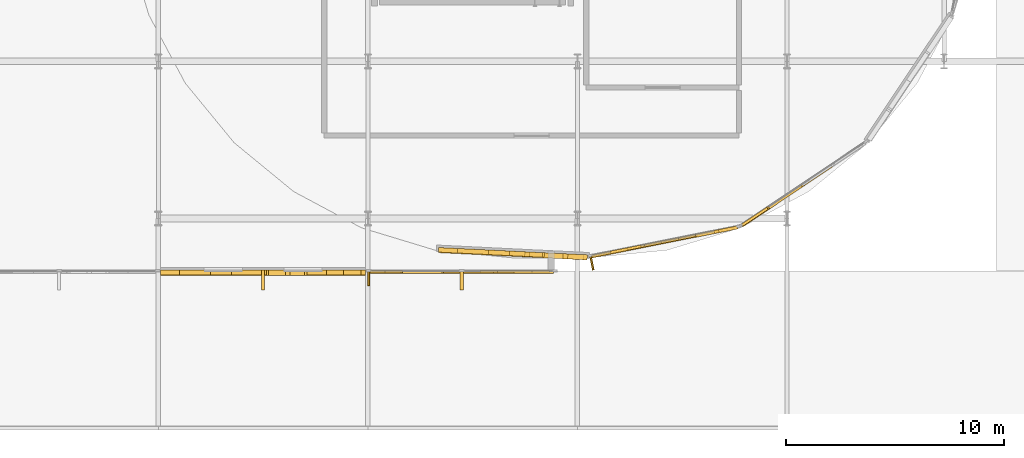
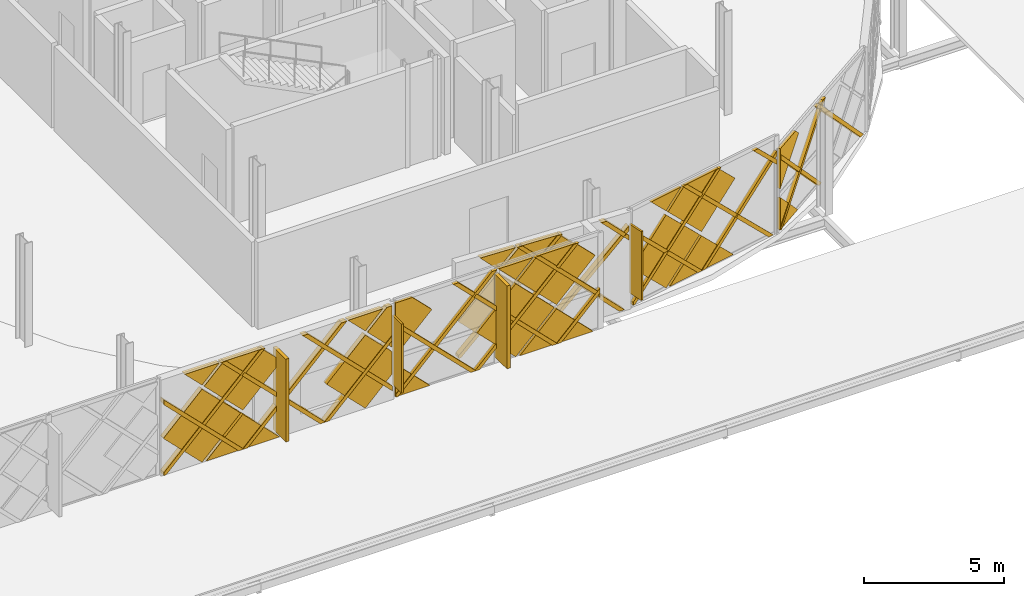
# One storey, part 95 of 101: 50 coverings, 2 shading devices.
"""IFC4 building model written with IfcOpenShell, lengths in metres."""

import ifcopenshell
import ifcopenshell.guid

model = None  # the IFC model being written
_history = None  # IfcOwnerHistory: only IFC2X3 demands one
_inside = {}  # id of a spatial element -> (the spatial element, [elements in it])
_under = {}  # id of a project, library or spatial element -> (it, [spatial elements below it])
_declared = {}  # id of a project -> (the project, [libraries it declares])
_typed = {}  # id of a type object -> (the type object, [elements of that type])
_made_of = {}  # id of a material, layer set ... -> (it, [elements and type objects made of it])


def new_model(schema):
    """Start an empty IFC model of exactly this schema.

    Asked for "IFC4X3", IfcOpenShell would pick the latest addendum, in which some entities
    have other attributes; the version numbers below select the first issue.
    IFC2X3 requires an IfcOwnerHistory on every rooted entity: one is made here for all.
    """
    global model, _history
    if schema == "IFC4X3":
        model = ifcopenshell.file(schema_version=(4, 3, 0, 0))
    else:
        model = ifcopenshell.file(schema=schema)
    _inside.clear()
    _under.clear()
    _declared.clear()
    _typed.clear()
    _made_of.clear()
    _history = None
    if model.schema == "IFC2X3":
        org = make("IfcOrganization", Name="unknown")
        user = make(
            "IfcPersonAndOrganization",
            ThePerson=make("IfcPerson", FamilyName="unknown"),
            TheOrganization=org,
        )
        app = make(
            "IfcApplication",
            ApplicationDeveloper=org,
            Version="unknown",
            ApplicationFullName="unknown",
            ApplicationIdentifier="unknown",
        )
        _history = make(
            "IfcOwnerHistory",
            OwningUser=user,
            OwningApplication=app,
            ChangeAction="ADDED",
            CreationDate=0,
        )
    return model


def make(cls, **values):
    """One entity of the class cls with the attributes given. An attribute that is None is left unset."""
    return model.create_entity(
        cls, **{name: value for name, value in values.items() if value is not None}
    )


def rooted(cls, **values):
    """An entity with a GlobalId (a new one), such as an element, a storey or a relation."""
    return make(cls, GlobalId=ifcopenshell.guid.new(), OwnerHistory=_history, **values)


def si_unit(unit_type, name, prefix=None):
    """IfcSIUnit, for example si_unit("LENGTHUNIT", "METRE", prefix="MILLI")."""
    return make("IfcSIUnit", UnitType=unit_type, Prefix=prefix, Name=name)


def assignment(units):
    """IfcUnitAssignment: the units of a project."""
    return None if units is None else make("IfcUnitAssignment", Units=units)


def point(xyz):
    """IfcCartesianPoint."""
    return None if xyz is None else make("IfcCartesianPoint", Coordinates=xyz)


def direction(xyz):
    """IfcDirection."""
    return None if xyz is None else make("IfcDirection", DirectionRatios=xyz)


def frame(location, z_axis=None, x_axis=None):
    """IfcAxis2Placement3D, a coordinate frame: its origin and axes. An axis left out is left unset."""
    return make(
        "IfcAxis2Placement3D",
        Location=point(location),
        Axis=direction(z_axis),
        RefDirection=direction(x_axis),
    )


def frame_2d(location, x_axis=None):
    """IfcAxis2Placement2D, a coordinate frame in the plane: its origin and x axis."""
    return make(
        "IfcAxis2Placement2D", Location=point(location), RefDirection=direction(x_axis)
    )


def origin():
    """The frame at (0, 0, 0) with its axes left unset."""
    return frame((0.0, 0.0, 0.0))


def origin_2d():
    """The frame at (0, 0) in the plane with its x axis left unset."""
    return frame_2d((0.0, 0.0))


def place(relative_to, where):
    """IfcLocalPlacement: puts the frame where relative to a parent placement (None: the world)."""
    return make(
        "IfcLocalPlacement", PlacementRelTo=relative_to, RelativePlacement=where
    )


def context(
    kind, dimensions, precision=None, world=None, true_north=None, identifier=None
):
    """IfcGeometricRepresentationContext, for example the 3D "Model" context."""
    return make(
        "IfcGeometricRepresentationContext",
        ContextIdentifier=identifier,
        ContextType=kind,
        CoordinateSpaceDimension=dimensions,
        Precision=precision,
        WorldCoordinateSystem=world,
        TrueNorth=true_north,
    )


def subcontext(parent, identifier, kind, view, scale=None):
    """IfcGeometricRepresentationSubContext, for example "Body" below "Model"."""
    return make(
        "IfcGeometricRepresentationSubContext",
        ContextIdentifier=identifier,
        ContextType=kind,
        ParentContext=parent,
        TargetScale=scale,
        TargetView=view,
    )


def project(units=None, contexts=None):
    """IfcProject with its units and contexts."""
    return rooted(
        "IfcProject",
        Name="project",
        RepresentationContexts=contexts,
        UnitsInContext=assignment(units),
    )


def spatial(cls, under=None, at=None, **own):
    """A site, building, storey or space (cls), placed at a placement, below another one or the project."""
    s = rooted(cls, ObjectPlacement=at, **own)
    if under is not None:
        _under.setdefault(under.id(), (under, []))[1].append(s)
    return s


def polyline(points):
    """IfcPolyline through the points."""
    return make("IfcPolyline", Points=[point(p) for p in points])


def profile(cls, at=None, kind="AREA", **sizes):
    """A parametric profile (cls). Its sizes go by their IFC names, for example OverallWidth=200.0."""
    return make(cls, ProfileType=kind, Position=at, **sizes)


def rectangle(**sizes):
    """IfcRectangleProfileDef."""
    return profile("IfcRectangleProfileDef", **sizes)


def outline(outer, holes=None, kind="AREA"):
    """IfcArbitraryClosedProfileDef: a profile drawn as a closed curve; with holes, ...WithVoids."""
    if holes is None:
        return make("IfcArbitraryClosedProfileDef", ProfileType=kind, OuterCurve=outer)
    return make(
        "IfcArbitraryProfileDefWithVoids",
        ProfileType=kind,
        OuterCurve=outer,
        InnerCurves=holes,
    )


def extrude(swept, where, along, depth):
    """IfcExtrudedAreaSolid: the profile swept, set in the frame where, extruded along a direction by depth."""
    return make(
        "IfcExtrudedAreaSolid",
        SweptArea=swept,
        Position=where,
        ExtrudedDirection=direction(along),
        Depth=depth,
    )


def shape(context_of_items, identifier, shape_type, items):
    """IfcShapeRepresentation: the items that make up one representation, for example the "Body"."""
    return make(
        "IfcShapeRepresentation",
        ContextOfItems=context_of_items,
        RepresentationIdentifier=identifier,
        RepresentationType=shape_type,
        Items=items,
    )


def material(Name=None, Category=None):
    """IfcMaterial."""
    return make("IfcMaterial", Name=Name, Category=Category)


def layer(
    of_material, thickness, ventilated=None, Name=None, Category=None, Priority=None
):
    """IfcMaterialLayer: one layer of a wall or slab, of a material (None: an air gap)."""
    return make(
        "IfcMaterialLayer",
        Material=of_material,
        LayerThickness=thickness,
        IsVentilated=ventilated,
        Name=Name,
        Category=Category,
        Priority=Priority,
    )


def layer_set(layers, Name=None):
    """IfcMaterialLayerSet."""
    return make("IfcMaterialLayerSet", MaterialLayers=layers, LayerSetName=Name)


def made_of(thing, what):
    """Note that an element or type object is made of a material, layer set ...; save() writes the relation."""
    if what is not None:
        _made_of.setdefault(what.id(), (what, []))[1].append(thing)
    return thing


def type_object(cls, material=None, **own):
    """A type object (cls), such as IfcWallType, which elements share."""
    return made_of(rooted(cls, **own), material)


def element(
    cls,
    number,
    at=None,
    inside=None,
    cuts=None,
    type_object=None,
    material=None,
    context=None,
    identifier="Body",
    shape_type=None,
    held_by="IfcProductDefinitionShape",
    body=None,
    shapes=None,
    **own,
):
    """One element of the class cls, such as IfcWall. Its Tag is "e" and its number.

    at: its placement. inside: the storey or other place that contains it. cuts: it is an
    opening in that element (IfcRelVoidsElement). A single representation is given by context,
    identifier, shape_type and body (its items); several are given by shapes. held_by: the class
    of the entity that holds the representations. save() writes the other relations.
    """
    e = rooted(cls, Tag="e%d" % number, ObjectPlacement=at, **own)
    if body is not None:
        shapes = [shape(context, identifier, shape_type, body)]
    if shapes is not None:
        e.Representation = make(held_by, Representations=shapes)
    if inside is not None:
        _inside.setdefault(inside.id(), (inside, []))[1].append(e)
    if cuts is not None:
        rooted(
            "IfcRelVoidsElement", RelatingBuildingElement=cuts, RelatedOpeningElement=e
        )
    if type_object is not None:
        _typed.setdefault(type_object.id(), (type_object, []))[1].append(e)
    return made_of(e, material)


def aggregate(whole, parts):
    """IfcRelAggregates: a whole, such as a stair, and the parts it consists of."""
    return rooted("IfcRelAggregates", RelatingObject=whole, RelatedObjects=parts)


def save(model, path):
    """Write the relations noted so far, then the file.

    IfcRelAggregates (storeys below a building ...), IfcRelContainedInSpatialStructure (elements
    in a storey), IfcRelDefinesByType, IfcRelAssociatesMaterial and IfcRelDeclares: one each for
    every whole, place, type object, material and project.
    """
    for whole, parts in _under.values():
        aggregate(whole, parts)
    for where, things in _inside.values():
        rooted(
            "IfcRelContainedInSpatialStructure",
            RelatedElements=things,
            RelatingStructure=where,
        )
    for kind, things in _typed.values():
        rooted("IfcRelDefinesByType", RelatedObjects=things, RelatingType=kind)
    for what, things in _made_of.values():
        rooted("IfcRelAssociatesMaterial", RelatedObjects=things, RelatingMaterial=what)
    for by, libraries in _declared.values():
        rooted("IfcRelDeclares", RelatingContext=by, RelatedDefinitions=libraries)
    model.write(path)


model = new_model("IFC4")

# Units and contexts
model_context = context("Model", 3, precision=1e-05, world=origin(), true_north=direction((0.0, 1.0)))
body_context = subcontext(model_context, "Body", "Model", "MODEL_VIEW")
ifc_project = project(units=[si_unit("LENGTHUNIT", "METRE"), si_unit("AREAUNIT", "SQUARE_METRE"), si_unit("VOLUMEUNIT", "CUBIC_METRE"), si_unit("PLANEANGLEUNIT", "RADIAN"), si_unit("MASSUNIT", "GRAM", prefix="KILO")], contexts=[model_context])

# Site, building, storey
site_placement = place(None, origin())
site = spatial("IfcSite", under=ifc_project, at=site_placement, CompositionType="ELEMENT")
building_placement = place(site_placement, origin())
building = spatial("IfcBuilding", under=site, at=building_placement, Name="Zevrakil Square Congress Hotel", CompositionType="ELEMENT")
storey_placement = place(building_placement, frame((0.0, 0.0, 5.39990234375)))
storey = spatial("IfcBuildingStorey", under=building, at=storey_placement, Name="L02", CompositionType="ELEMENT", Elevation=5.39990234375)

# Coverings
ifc_material_1 = material(Name="Architectural White Fibre-C GRC", Category="concrete")
ifc_layer_1 = layer(ifc_material_1, 0.06494140625)
ifc_layer_set_1 = layer_set([ifc_layer_1], Name="Architectural White Fibre-C GRC")
covering_type_1 = type_object("IfcCoveringType", Name="COV-DIA-WHITE", PredefinedType="CLADDING", material=ifc_layer_set_1)
covering_1_placement = place(storey_placement, frame((130.56298828125, 7.02099609375, 1.590087890625), z_axis=(0.0, -0.999999790873, 0.000646725815), x_axis=(0.707106707249, -0.000457304257, -0.707106707249)))
element("IfcCovering", 1, at=covering_1_placement, inside=storey, type_object=covering_type_1, Name="L02 45-degree white GRC diamond facade cassette 252", PredefinedType="CLADDING", context=body_context, shape_type="SweptSolid", body=[
    extrude(outline(polyline([(0.0, 0.0), (2.1354765131557993, 0.0), (4.465861884739297e-07, -2.1354765131557527), (0.0, 0.0)])), origin(), (0.0, 0.0, -1.0), 0.219970703125),
])
covering_2_placement = place(storey_placement, frame((128.883056640625, 7.02197265625, 3.27001953125), z_axis=(0.0, -0.999999812555, 0.000612281941), x_axis=(0.707106714489, -0.000432948753, -0.707106715341)))
element("IfcCovering", 2, at=covering_2_placement, inside=storey, type_object=covering_type_1, Name="L02 45-degree white GRC diamond facade cassette 253", PredefinedType="CLADDING", context=body_context, shape_type="SweptSolid", body=[
    extrude(outline(polyline([(0.0, 0.0), (2.2483788053823686, 2.220446049250313e-16), (2.2485518630143098, -2.2485514388251864), (0.013983735657622232, -2.2485514362281265), (-0.00017220932723183147, -2.23439549391379), (0.0, 0.0)])), origin(), (0.0, 0.0, -1.0), 0.219970703125),
])
covering_3_placement = place(storey_placement, frame((135.60302734375, 7.02001953125, 0.090087890625), z_axis=(2.4783e-08, -0.999999819732, 0.00060044665), x_axis=(-0.707106714542, 0.000424562414, 0.707106720373)))
element("IfcCovering", 3, at=covering_3_placement, inside=storey, type_object=covering_type_1, Name="L02 45-degree white GRC diamond facade cassette 254", PredefinedType="CLADDING", context=body_context, shape_type="SweptSolid", body=[
    extrude(outline(polyline([(0.0, 0.0), (2.2487240722289403, 2.220446049250313e-16), (2.2485518626367096, -2.2485514387855567), (0.7014103402879658, -2.2485514130810778), (3.1733849004123016e-07, -1.547141522351359), (0.0, 0.0)])), origin(), (0.0, 0.0, -1.0), 0.219970703125),
])
covering_4_placement = place(storey_placement, frame((132.153076171875, 7.02197265625, 3.360107421875), z_axis=(0.0, -0.999999812418, 0.000612505691), x_axis=(-0.707106714509, -0.000433106969, -0.707106715224)))
element("IfcCovering", 4, at=covering_4_placement, inside=storey, type_object=covering_type_1, Name="L02 45-degree white GRC diamond facade cassette 255", PredefinedType="CLADDING", context=body_context, shape_type="SweptSolid", body=[
    extrude(outline(polyline([(0.0, 0.0), (2.248724072333454, 0.0), (2.248723648240769, -2.248724072333414), (1.1172836395863657, -2.2487240710021386), (-2.120499200675141e-07, -1.1314400086543839), (0.0, 0.0)])), origin(), (0.0, 0.0, -1.0), 0.219970703125),
])
covering_5_placement = place(storey_placement, frame((135.693115234375, 7.02197265625, 3.360107421875), z_axis=(5.0417918e-05, -0.999999849097, 0.000547049503), x_axis=(0.706998801775, 0.000422526876, 0.707214617892)))
element("IfcCovering", 5, at=covering_5_placement, inside=storey, type_object=covering_type_1, Name="L02 45-degree white GRC diamond facade cassette 256", PredefinedType="CLADDING", context=body_context, shape_type="SweptSolid", body=[
    extrude(outline(polyline([(0.0, 0.0), (1.1312673883056323, -1.1102230246251565e-16), (1.275566948433466, -0.1443436339294647), (-0.00021686546109567217, -1.4197379014663885), (0.0, 0.0)])), origin(), (0.0, 0.0, -1.0), 0.219970703125),
])
for number, where, z_axis, x_axis, name in (
    (6, (128.883056640625, 7.022216796875, 3.4501953125), (0.0, -0.999999940874, 0.000343878934), (-0.707106760282, 0.000243159134, 0.707106760282), "L02 45-degree white GRC diamond facade cassette 257"),
    (7, (135.60302734375, 7.022216796875, 3.4501953125), (0.0, -0.999999940874, 0.000343878934), (-0.707106760282, 0.000243159134, 0.707106760282), "L02 45-degree white GRC diamond facade cassette 258"),
):
    element("IfcCovering", number, at=place(storey_placement, frame(where, z_axis=z_axis, x_axis=x_axis)), inside=storey, type_object=covering_type_1, Name=name, PredefinedType="CLADDING", context=body_context, shape_type="SweptSolid", body=[
        extrude(outline(polyline([(0.0, 0.0), (1.0040364162501292, 0.0), (5.936502278647282e-08, -1.0040364162501274), (0.0, 0.0)])), origin(), (0.0, 0.0, -1.0), 0.219970703125),
    ])
covering_6_placement = place(storey_placement, frame((138.31298828125, 7.10498046875, 0.080078125), z_axis=(0.0, -0.999999760125, 0.000692640526), x_axis=(-1.0, 0.0, 0.0)))
element("IfcCovering", 8, at=covering_6_placement, inside=storey, type_object=covering_type_1, Name="L02 45-degree white GRC diamond facade cassette 281", PredefinedType="CLADDING", context=body_context, shape_type="SweptSolid", body=[
    extrude(outline(polyline([(0.0, 0.0), (1.409912109375, 0.0), (1.409912109375, -1.4099124475784228), (0.0, 0.0)])), origin(), (0.0, 0.0, -1.0), 0.1201171875),
])
covering_7_placement = place(storey_placement, frame((143.52294921875, 7.10595703125, 1.590087890625), z_axis=(0.0, -0.999999790873, 0.000646725815), x_axis=(0.707106707249, -0.000457304257, -0.707106707249)))
element("IfcCovering", 9, at=covering_7_placement, inside=storey, type_object=covering_type_1, Name="L02 45-degree white GRC diamond facade cassette 282", PredefinedType="CLADDING", context=body_context, shape_type="SweptSolid", body=[
    extrude(outline(polyline([(0.0, 0.0), (2.1354765131557993, 0.0), (4.465861884739297e-07, -2.1354765131557527), (0.0, 0.0)])), origin(), (0.0, 0.0, -1.0), 0.1201171875),
])
covering_8_placement = place(storey_placement, frame((141.843017578125, 7.10693359375, 3.27001953125), z_axis=(0.0, -0.999999811377, 0.000614203339), x_axis=(0.707161000837, -0.000434274042, -0.707052424012)))
element("IfcCovering", 10, at=covering_8_placement, inside=storey, type_object=covering_type_1, Name="L02 45-degree white GRC diamond facade cassette 283", PredefinedType="CLADDING", context=body_context, shape_type="SweptSolid", body=[
    extrude(outline(polyline([(0.0, 0.0), (2.2485514454867683, 0.0), (2.2483792228863573, -2.248724065739994), (-0.0003448428211170196, -2.248551419043839), (0.0, 0.0)])), origin(), (0.0, 0.0, -1.0), 0.1201171875),
])
covering_9_placement = place(storey_placement, frame((138.39306640625, 7.10693359375, 3.360107421875), z_axis=(-3.5710553e-05, -0.999999851499, 0.000543807812), x_axis=(-0.707106738937, -0.000359279046, -0.707106732161)))
element("IfcCovering", 11, at=covering_9_placement, inside=storey, type_object=covering_type_1, Name="L02 45-degree white GRC diamond facade cassette 284", PredefinedType="CLADDING", context=body_context, shape_type="SweptSolid", body=[
    extrude(outline(polyline([(0.0, 0.0), (2.1071645244025197, 0.0), (0.48786204782328235, -1.619302283895538), (-1.7000803909095197e-07, -1.1314400083874891), (0.0, 0.0)])), origin(), (0.0, 0.0, -1.0), 0.1201171875),
])
covering_10_placement = place(storey_placement, frame((145.113037109375, 7.10693359375, 3.360107421875), z_axis=(0.0, -0.999999862226, 0.000524927079), x_axis=(-0.707106744411, -0.000371179516, -0.707106720541)))
element("IfcCovering", 12, at=covering_10_placement, inside=storey, type_object=covering_type_1, Name="L02 45-degree white GRC diamond facade cassette 285", PredefinedType="CLADDING", context=body_context, shape_type="SweptSolid", body=[
    extrude(outline(polyline([(0.0, 0.0), (2.24872397723899, -2.220446049250313e-16), (2.2485511098526967, -2.2485513437384994), (1.1172837367417798, -2.2487240216932802), (-1.6214241616019365e-07, -1.1314400065934285), (0.0, 0.0)])), origin(), (0.0, 0.0, -1.0), 0.1201171875),
])
covering_11_placement = place(storey_placement, frame((141.843017578125, 7.107177734375, 3.4501953125), z_axis=(0.0, -0.999999940874, 0.000343878934), x_axis=(-0.707106760282, 0.000243159134, 0.707106760282)))
element("IfcCovering", 13, at=covering_11_placement, inside=storey, type_object=covering_type_1, Name="L02 45-degree white GRC diamond facade cassette 286", PredefinedType="CLADDING", context=body_context, shape_type="SweptSolid", body=[
    extrude(outline(polyline([(0.0, 0.0), (1.0040364162501292, 0.0), (5.936502278647282e-08, -1.0040364162501274), (0.0, 0.0)])), origin(), (0.0, 0.0, -1.0), 0.1201171875),
])
covering_12_placement = place(storey_placement, frame((150.268798828125, 8.453125, 1.590087890625), z_axis=(0.195074358725, -0.980788280172, 0.000586553491), x_axis=(0.693609627274, 0.137532945708, -0.707099974401)))
element("IfcCovering", 14, at=covering_12_placement, inside=storey, type_object=covering_type_1, Name="L02 45-degree white GRC diamond facade cassette 1973", PredefinedType="CLADDING", context=body_context, shape_type="SweptSolid", body=[
    extrude(outline(polyline([(0.0, 0.0), (2.135496846686384, 0.0), (6.252147105900718e-05, -2.1353939480228528), (0.0, 0.0)])), origin(), (0.0, 0.0, -1.0), 0.1201171875),
])
covering_13_placement = place(storey_placement, frame((148.620849609375, 8.12646484375, 3.27001953125), z_axis=(0.195079003967, -0.980787338537, 0.000615449045), x_axis=(0.693629560954, 0.137519506008, -0.707083034472)))
element("IfcCovering", 15, at=covering_13_placement, inside=storey, type_object=covering_type_1, Name="L02 45-degree white GRC diamond facade cassette 1974", PredefinedType="CLADDING", context=body_context, shape_type="SweptSolid", body=[
    extrude(outline(polyline([(0.0, 0.0), (2.2484539965741455, 2.220446049250313e-16), (2.248376464237012, -2.2487268372075064), (0.013903468485891413, -2.248556768064726), (-0.00025200241907197274, -2.234400351741327), (0.0, 0.0)])), origin(), (0.0, 0.0, -1.0), 0.1201171875),
])
covering_14_placement = place(storey_placement, frame((151.827880859375, 8.764404296875, 3.360107421875), z_axis=(0.195094274496, -0.980784320677, 0.000583415454), x_axis=(-0.693377042901, -0.13834485524, -0.707169694915)))
element("IfcCovering", 16, at=covering_14_placement, inside=storey, type_object=covering_type_1, Name="L02 45-degree white GRC diamond facade cassette 1975", PredefinedType="CLADDING", context=body_context, shape_type="SweptSolid", body=[
    extrude(outline(polyline([(0.0, 0.0), (2.2485237706358365, 0.0), (2.2483950195868045, -2.24879596498194), (1.116903818822684, -2.248643928463012), (-0.000184473038150057, -1.1313565414365567), (0.0, 0.0)])), origin(), (0.0, 0.0, -1.0), 0.1201171875),
])
covering_15_placement = place(storey_placement, frame((148.620849609375, 8.126708984375, 3.4501953125), z_axis=(0.194958822102, -0.980811358107, 0.000370801502), x_axis=(-0.693661237734, -0.13761383125, 0.707033606495)))
element("IfcCovering", 17, at=covering_15_placement, inside=storey, type_object=covering_type_1, Name="L02 45-degree white GRC diamond facade cassette 1976", PredefinedType="CLADDING", context=body_context, shape_type="SweptSolid", body=[
    extrude(outline(polyline([(0.0, 0.0), (1.0041402996658966, 0.0), (-0.00010565880857049681, -1.004038280687166), (0.0, 0.0)])), origin(), (0.0, 0.0, -1.0), 0.1201171875),
])
covering_16_placement = place(storey_placement, frame((155.134521484375, 10.0166015625, 0.080078125), z_axis=(0.5554191038, -0.831570435023, 0.000480342697), x_axis=(-0.831570530957, -0.555419167876, 0.0)))
element("IfcCovering", 18, at=covering_16_placement, inside=storey, type_object=covering_type_1, Name="L02 45-degree white GRC diamond facade cassette 1982", PredefinedType="CLADDING", context=body_context, shape_type="SweptSolid", body=[
    extrude(outline(polyline([(0.0, 0.0), (1.4101118043779721, 0.0), (1.4102466439107262, -1.4099122720289092), (0.0, 0.0)])), origin(), (0.0, 0.0, -1.0), 0.1201171875),
])
covering_17_placement = place(storey_placement, frame((155.19970703125, 10.062744140625, 3.360107421875), z_axis=(0.555543339219, -0.831487336414, 0.000638460709), x_axis=(-0.587690857012, -0.393198060111, -0.707117205356)))
element("IfcCovering", 19, at=covering_17_placement, inside=storey, type_object=covering_type_1, Name="L02 45-degree white GRC diamond facade cassette 1985", PredefinedType="CLADDING", context=body_context, shape_type="SweptSolid", body=[
    extrude(outline(polyline([(0.0, 0.0), (2.1071334343419954, 0.0), (0.88042821438919, -1.2267625628905314), (-2.2720396062519965e-05, -0.3462852089412874), (0.0, 0.0)])), origin(), (0.0, 0.0, -1.0), 0.1201171875),
])
covering_18_placement = place(storey_placement, frame((143.289794921875, 7.901123046875, 1.590087890625), z_axis=(-0.049147388108, -0.998791328055, 0.00064594427), x_axis=(0.706268083881, -0.035210516322, -0.707068322888)))
element("IfcCovering", 20, at=covering_18_placement, inside=storey, type_object=covering_type_1, Name="L02 45-degree white GRC diamond facade cassette 2070", PredefinedType="CLADDING", context=body_context, shape_type="SweptSolid", body=[
    extrude(outline(polyline([(0.0, 0.0), (2.135592440992476, 2.220446049250313e-16), (-0.00016352540261688198, -2.1355245562370513), (0.0, 0.0)])), origin(), (0.0, 0.0, -1.0), 0.2099609375),
])
covering_19_placement = place(storey_placement, frame((141.61181640625, 7.984619140625, 3.27001953125), z_axis=(-0.049134808325, -0.998791968643, 0.000611542554), x_axis=(0.70628901187, -0.03517826223, -0.707049023461)))
element("IfcCovering", 21, at=covering_19_placement, inside=storey, type_object=covering_type_1, Name="L02 45-degree white GRC diamond facade cassette 2071", PredefinedType="CLADDING", context=body_context, shape_type="SweptSolid", body=[
    extrude(outline(polyline([(0.0, 0.0), (2.248562260732327, 0.0), (2.2484362687209547, -2.248667027198164), (0.013865747966557374, -2.2484871152947923), (-0.0002890420539078953, -2.2343300180972654), (0.0, 0.0)])), origin(), (0.0, 0.0, -1.0), 0.2099609375),
])
covering_20_placement = place(storey_placement, frame((144.8779296875, 7.823974609375, 3.360107421875), z_axis=(-0.049137107076, -0.998791852114, 0.000617138288), x_axis=(-0.706256085539, 0.034308436867, -0.707124651528)))
element("IfcCovering", 22, at=covering_20_placement, inside=storey, type_object=covering_type_1, Name="L02 45-degree white GRC diamond facade cassette 2072", PredefinedType="CLADDING", context=body_context, shape_type="SweptSolid", body=[
    extrude(outline(polyline([(0.0, 0.0), (2.248667030733473, 0.0), (2.2484479532167043, -2.2485624621233056), (1.1170322568082822, -2.2485580742557656), (-0.00019172264721944998, -1.1312771984459273), (0.0, 0.0)])), origin(), (0.0, 0.0, -1.0), 0.2099609375),
])
covering_21_placement = place(storey_placement, frame((141.61181640625, 7.984619140625, 3.4501953125), z_axis=(-0.049174372606, -0.998789966672, 0.000695380715), x_axis=(-0.706180555599, 0.035260392755, 0.707153256089)))
element("IfcCovering", 23, at=covering_21_placement, inside=storey, type_object=covering_type_1, Name="L02 45-degree white GRC diamond facade cassette 2073", PredefinedType="CLADDING", context=body_context, shape_type="SweptSolid", body=[
    extrude(outline(polyline([(0.0, 0.0), (1.0039704001744385, -1.1102230246251565e-16), (-5.996261564500394e-06, -1.0041088686284692), (0.0, 0.0)])), origin(), (0.0, 0.0, -1.0), 0.2099609375),
])
ifc_material_2 = material(Name="Anodised Champagne Aluminium", Category="aluminium")
ifc_layer_2 = layer(ifc_material_2, 0.0849609375)
ifc_layer_set_2 = layer_set([ifc_layer_2], Name="Anodised Champagne Aluminium")
covering_type_2 = type_object("IfcCoveringType", Name="COV-DIAGRID-45", PredefinedType="MOLDING", material=ifc_layer_set_2)
covering_22_placement = place(storey_placement, frame((127.38916015625, 6.9951171875, 0.080078125), z_axis=(0.000179545795, -0.999999893832, 0.000424380971), x_axis=(-0.999999983882, -0.000179545779, 7.6196e-08)))
element("IfcCovering", 24, at=covering_22_placement, inside=storey, type_object=covering_type_2, Name="L02 45-degree aluminium diagrid rib 259", PredefinedType="MOLDING", context=body_context, shape_type="SweptSolid", body=[
    extrude(outline(polyline([(0.0, 0.0), (0.08618163923589447, -1.1406045165281983e-24), (0.08618164885338447, -0.1262206917588748), (-3.8676758463687504, -4.080078793676924), (-4.079834046074112, -4.080078793676924), (0.0, 0.0)])), origin(), (0.0, 0.0, -1.0), 0.2451171875),
])
covering_23_placement = place(storey_placement, frame((130.7490234375, 6.9951171875, 0.080078125), z_axis=(0.0, -0.999999820975, 0.00059837232), x_axis=(-1.0, 0.0, 0.0)))
element("IfcCovering", 25, at=covering_23_placement, inside=storey, type_object=covering_type_2, Name="L02 45-degree aluminium diagrid rib 260", PredefinedType="MOLDING", context=body_context, shape_type="SweptSolid", body=[
    extrude(outline(polyline([(0.0, 0.0), (0.212158203125, 0.0), (-3.867919921875, -4.080078855435026), (-4.080078125, -4.080078855435026), (0.0, 0.0)])), origin(), (0.0, 0.0, -1.0), 0.2451171875),
])
covering_24_placement = place(storey_placement, frame((134.109130859375, 6.9951171875, 0.080078125), z_axis=(0.000271874555, -0.999999926084, 0.000271874555), x_axis=(-0.999999963042, -0.000271874545, 7.3916e-08)))
element("IfcCovering", 26, at=covering_24_placement, inside=storey, type_object=covering_type_2, Name="L02 45-degree aluminium diagrid rib 261", PredefinedType="MOLDING", context=body_context, shape_type="SweptSolid", body=[
    extrude(outline(polyline([(0.0, 0.0), (0.212158195284081, -2.8078904387053947e-24), (-2.5878907206429744, -2.8000491228948605), (-2.587890736324813, -2.58789092761078), (0.0, 0.0)])), origin(), (0.0, 0.0, -1.0), 0.2451171875),
])
covering_25_placement = place(storey_placement, frame((127.302978515625, 6.996826171875, 3.154052734375), z_axis=(0.000287477056, -0.99999958606, 0.000863270454), x_axis=(8.2643e-08, 0.000863270513, 0.999999627382)))
element("IfcCovering", 27, at=covering_25_placement, inside=storey, type_object=covering_type_2, Name="L02 45-degree aluminium diagrid rib 262", PredefinedType="MOLDING", context=body_context, shape_type="SweptSolid", body=[
    extrude(outline(polyline([(0.0, 0.0), (0.21215833483042407, 1.3234889800848443e-23), (-3.0739746676964605, -3.286133202330571), (-3.073974685229852, -3.0739750079722734), (0.0, 0.0)])), origin(), (0.0, 0.0, -1.0), 0.2451171875),
])
covering_26_placement = place(storey_placement, frame((129.656982421875, 6.99755859375, 4.16015625), z_axis=(0.0, -0.999999820975, 0.00059837232), x_axis=(1.0, 0.0, 0.0)))
element("IfcCovering", 28, at=covering_26_placement, inside=storey, type_object=covering_type_2, Name="L02 45-degree aluminium diagrid rib 263", PredefinedType="MOLDING", context=body_context, shape_type="SweptSolid", body=[
    extrude(outline(polyline([(0.0, 0.0), (0.212158203125, 0.0), (4.292236328125, -4.080078855435026), (4.079833984375, -4.080078855435026), (0.0, 0.0)])), origin(), (0.0, 0.0, -1.0), 0.2451171875),
])
covering_27_placement = place(storey_placement, frame((133.016845703125, 6.99755859375, 4.16015625), z_axis=(-0.000307387518, -0.999999905513, 0.000307387518), x_axis=(0.999999952756, -0.000307387504, 9.4487e-08)))
element("IfcCovering", 29, at=covering_27_placement, inside=storey, type_object=covering_type_2, Name="L02 45-degree aluminium diagrid rib 264", PredefinedType="MOLDING", context=body_context, shape_type="SweptSolid", body=[
    extrude(outline(polyline([(0.0, 0.0), (0.21215819310189454, 0.0), (3.680175955114556, -3.468018089695602), (3.6801759350683443, -3.6801762827974955), (0.0, 0.0)])), origin(), (0.0, 0.0, -1.0), 0.2451171875),
])
covering_28_placement = place(storey_placement, frame((136.989013671875, 7.080078125, 0.080078125), z_axis=(0.000179650061, -0.999999893856, 0.000424279931), x_axis=(-0.999999983863, -0.000179650045, 7.6222e-08)))
element("IfcCovering", 30, at=covering_28_placement, inside=storey, type_object=covering_type_2, Name="L02 45-degree aluminium diagrid rib 287", PredefinedType="MOLDING", context=body_context, shape_type="SweptSolid", body=[
    extrude(outline(polyline([(0.0, 0.0), (0.08593749861322035, -1.137373342260413e-24), (0.08593750823400426, -0.1262206917642864), (-3.867919987065464, -4.080078793605174), (-4.080078186766852, -4.080078793605174), (0.0, 0.0)])), origin(), (0.0, 0.0, -1.0), 0.14501953125),
])
covering_29_placement = place(storey_placement, frame((140.34912109375, 7.080078125, 0.080078125), z_axis=(0.0, -0.999999820975, 0.00059837232), x_axis=(-1.0, 0.0, 0.0)))
element("IfcCovering", 31, at=covering_29_placement, inside=storey, type_object=covering_type_2, Name="L02 45-degree aluminium diagrid rib 288", PredefinedType="MOLDING", context=body_context, shape_type="SweptSolid", body=[
    extrude(outline(polyline([(0.0, 0.0), (0.212158203125, 0.0), (-3.86767578125, -4.080078855435026), (-4.080078125, -4.080078855435026), (0.0, 0.0)])), origin(), (0.0, 0.0, -1.0), 0.14501953125),
])
covering_30_placement = place(storey_placement, frame((143.708984375, 7.080078125, 0.080078125), z_axis=(0.000287883457, -0.999999917218, 0.000287552556), x_axis=(-0.999999958562, -0.000287883445, 8.2782e-08)))
element("IfcCovering", 32, at=covering_30_placement, inside=storey, type_object=covering_type_2, Name="L02 45-degree aluminium diagrid rib 289", PredefinedType="MOLDING", context=body_context, shape_type="SweptSolid", body=[
    extrude(outline(polyline([(0.0, 0.0), (0.21215819433349434, -2.8078904387053947e-24), (-1.5910645190562367, -1.8032228625119866), (-1.5910645366392484, -1.5908205275433878), (0.0, 0.0)])), origin(), (0.0, 0.0, -1.0), 0.14501953125),
])
covering_31_placement = place(storey_placement, frame((136.903076171875, 7.081787109375, 3.154052734375), z_axis=(0.000287317256, -0.999999586254, 0.000863099624), x_axis=(8.2646e-08, 0.000863099684, 0.999999627529)))
element("IfcCovering", 33, at=covering_31_placement, inside=storey, type_object=covering_type_2, Name="L02 45-degree aluminium diagrid rib 290", PredefinedType="MOLDING", context=body_context, shape_type="SweptSolid", body=[
    extrude(outline(polyline([(0.0, 0.0), (0.212158334820002, 0.0), (-3.0739746678474664, -3.286133202189314), (-3.0739746854017027, -3.07373086720635), (0.0, 0.0)])), origin(), (0.0, 0.0, -1.0), 0.14501953125),
])
covering_32_placement = place(storey_placement, frame((139.2568359375, 7.08251953125, 4.16015625), z_axis=(0.0, -0.999999820975, 0.00059837232), x_axis=(1.0, 0.0, 0.0)))
element("IfcCovering", 34, at=covering_32_placement, inside=storey, type_object=covering_type_2, Name="L02 45-degree aluminium diagrid rib 291", PredefinedType="MOLDING", context=body_context, shape_type="SweptSolid", body=[
    extrude(outline(polyline([(0.0, 0.0), (0.212158203125, 0.0), (4.292236328125, -4.080078855435026), (4.080078125, -4.080078855435026), (0.0, 0.0)])), origin(), (0.0, 0.0, -1.0), 0.14501953125),
])
covering_33_placement = place(storey_placement, frame((142.616943359375, 7.08251953125, 4.16015625), z_axis=(0.000267477522, -0.999999574145, 0.000883269974), x_axis=(0.999999964228, 0.000267477418, -2.36255e-07)))
element("IfcCovering", 35, at=covering_33_placement, inside=storey, type_object=covering_type_2, Name="L02 45-degree aluminium diagrid rib 292", PredefinedType="MOLDING", context=body_context, shape_type="SweptSolid", body=[
    extrude(outline(polyline([(0.0, 0.0), (0.21215819553565277, 0.0), (2.683105564730355, -2.470947595602957), (2.683105549551661, -2.683105931610734), (0.0, 0.0)])), origin(), (0.0, 0.0, -1.0), 0.14501953125),
])
covering_34_placement = place(storey_placement, frame((147.160888671875, 7.80859375, 0.080078125), z_axis=(0.194532905924, -0.980895333596, 0.001137119921), x_axis=(-0.980895968198, -0.194533029508, 1.959069e-06)))
element("IfcCovering", 36, at=covering_34_placement, inside=storey, type_object=covering_type_2, Name="L02 45-degree aluminium diagrid rib 1977", PredefinedType="MOLDING", context=body_context, shape_type="SweptSolid", body=[
    extrude(outline(polyline([(0.0, 0.0), (0.08608844018627092, 0.0), (0.08608868746134168, -0.12622062152041427), (-3.8680163189528995, -4.080088422512876), (-4.080076730791604, -4.0800888460815266), (0.0, 0.0)])), origin(), (0.0, 0.0, -1.0), 0.14501953125),
])
covering_35_placement = place(storey_placement, frame((150.456298828125, 8.464111328125, 0.080078125), z_axis=(0.195684787238, -0.980666846543, 1.1593572e-05), x_axis=(-0.980666846609, -0.195684787251, 1.34e-10)))
element("IfcCovering", 37, at=covering_35_placement, inside=storey, type_object=covering_type_2, Name="L02 45-degree aluminium diagrid rib 1978", PredefinedType="MOLDING", context=body_context, shape_type="SweptSolid", body=[
    extrude(outline(polyline([(0.0, 0.0), (0.2121080486190799, -5.293955920339377e-23), (-3.359638238547822, -3.571777344441722), (-3.359638238576345, -3.35961914133098), (0.0, 0.0)])), origin(), (0.0, 0.0, -1.0), 0.14501953125),
])
covering_36_placement = place(storey_placement, frame((147.076171875, 7.793701171875, 3.154052734375), z_axis=(0.194539989213, -0.980894587552, 2.659895e-05), x_axis=(-5.174559e-06, 2.6090766e-05, 0.999999999646)))
element("IfcCovering", 38, at=covering_36_placement, inside=storey, type_object=covering_type_2, Name="L02 45-degree aluminium diagrid rib 1979", PredefinedType="MOLDING", context=body_context, shape_type="SweptSolid", body=[
    extrude(outline(polyline([(0.0, 0.0), (0.21215820304994862, 1.7970498807714526e-22), (-3.073974610462425, -3.285907236666744), (-3.073974610612528, -3.0738468247822537), (0.0, 0.0)])), origin(), (0.0, 0.0, -1.0), 0.14501953125),
])
covering_37_placement = place(storey_placement, frame((149.384765625, 8.25341796875, 4.16015625), z_axis=(0.19500973444, -0.980801171739, 0.000514771605), x_axis=(0.980801301655, 0.195009760453, 3.48341e-07)))
element("IfcCovering", 39, at=covering_37_placement, inside=storey, type_object=covering_type_2, Name="L02 45-degree aluminium diagrid rib 1980", PredefinedType="MOLDING", context=body_context, shape_type="SweptSolid", body=[
    extrude(outline(polyline([(0.0, 0.0), (0.21210800007006428, 0.0), (4.292198732008483, -4.080080160740559), (4.07989888830043, -4.080080012901724), (0.0, 0.0)])), origin(), (0.0, 0.0, -1.0), 0.14501953125),
])
covering_38_placement = place(storey_placement, frame((152.68017578125, 8.908935546875, 4.16015625), z_axis=(0.194664997154, -0.980869779175, 0.000123222213), x_axis=(0.980869786622, 0.19466499863, -1.2425e-08)))
element("IfcCovering", 40, at=covering_38_placement, inside=storey, type_object=covering_type_2, Name="L02 45-degree aluminium diagrid rib 1981", PredefinedType="MOLDING", context=body_context, shape_type="SweptSolid", body=[
    extrude(outline(polyline([(0.0, 0.0), (0.21206041088150113, 0.0), (1.0916634467042985, -0.8796386649891017), (1.0919029195031273, -1.0917968723566656), (0.0, 0.0)])), origin(), (0.0, 0.0, -1.0), 0.14501953125),
])
covering_39_placement = place(storey_placement, frame((154.04736328125, 9.26025390625, 0.080078125), z_axis=(0.555371733876, -0.831601799388, 0.000827324638), x_axis=(-0.831602083698, -0.555371924379, -6.33755e-07)))
element("IfcCovering", 41, at=covering_39_placement, inside=storey, type_object=covering_type_2, Name="L02 45-degree aluminium diagrid rib 1987", PredefinedType="MOLDING", context=body_context, shape_type="SweptSolid", body=[
    extrude(outline(polyline([(0.0, 0.0), (0.08606257512252255, 0.0), (0.08592690628083674, -0.12622082781208827), (-3.3129038065092895, -3.524901418172745), (-3.5251823577760972, -3.524901309878961), (0.0, 0.0)])), origin(), (0.0, 0.0, -1.0), 0.14501953125),
])
covering_40_placement = place(storey_placement, frame((153.974853515625, 9.214111328125, 3.154052734375), z_axis=(0.555160797704, -0.831743038102, 8.5211074e-05), x_axis=(-4.7305848e-05, 7.0873718e-05, 0.99999999637)))
element("IfcCovering", 42, at=covering_40_placement, inside=storey, type_object=covering_type_2, Name="L02 45-degree aluminium diagrid rib 1989", PredefinedType="MOLDING", context=body_context, shape_type="SweptSolid", body=[
    extrude(outline(polyline([(0.0, 0.0), (0.2121582023547674, 0.0), (-3.073974620534953, -3.2858812695470503), (-3.0739746220754185, -3.073941332741666), (0.0, 0.0)])), origin(), (0.0, 0.0, -1.0), 0.14501953125),
])
covering_41_placement = place(storey_placement, frame((156.393310546875, 10.830322265625, 3.60498046875), z_axis=(0.555098369657, -0.831784707279, 2.7211739e-05), x_axis=(0.831784707587, 0.555098369863, 1.3016e-08)))
element("IfcCovering", 43, at=covering_41_placement, inside=storey, type_object=covering_type_2, Name="L02 45-degree aluminium diagrid rib 1990", PredefinedType="MOLDING", context=body_context, shape_type="SweptSolid", body=[
    extrude(outline(polyline([(0.0, 0.0), (0.21227852935282332, 0.0), (3.737252280885681, -3.5249023936984263), (3.5251092735958127, -3.524902388174236), (0.0, 0.0)])), origin(), (0.0, 0.0, -1.0), 0.14501953125),
])
covering_42_placement = place(storey_placement, frame((140.118408203125, 8.031005859375, 0.080078125), z_axis=(-0.049529132939, -0.99877219538, 0.000983222386), x_axis=(-0.998772678075, 0.049529158369, 1.516553e-06)))
element("IfcCovering", 44, at=covering_42_placement, inside=storey, type_object=covering_type_2, Name="L02 45-degree aluminium diagrid rib 2074", PredefinedType="MOLDING", context=body_context, shape_type="SweptSolid", body=[
    extrude(outline(polyline([(0.0, 0.0), (0.08604968445630264, -8.470329472543003e-22), (0.08604987587673787, -0.12622064211440592), (-3.867820289757021, -4.08008602541774), (-4.079994224908121, -4.080086357772881), (0.0, 0.0)])), origin(), (0.0, 0.0, -1.0), 0.235107421875),
])
covering_43_placement = place(storey_placement, frame((143.474365234375, 7.865966796875, 0.080078125), z_axis=(-0.049577192615, -0.998769742467, 0.001050478111), x_axis=(-0.998770293546, 0.04957721986, -1.03836e-07)))
element("IfcCovering", 45, at=covering_43_placement, inside=storey, type_object=covering_type_2, Name="L02 45-degree aluminium diagrid rib 2075", PredefinedType="MOLDING", context=body_context, shape_type="SweptSolid", body=[
    extrude(outline(polyline([(0.0, 0.0), (0.2121739343877768, 0.0), (-3.375302062173386, -3.587403972629035), (-3.3753141439570777, -3.3752456304125458), (0.0, 0.0)])), origin(), (0.0, 0.0, -1.0), 0.235107421875),
])
covering_44_placement = place(storey_placement, frame((140.03271484375, 8.037109375, 3.154052734375), z_axis=(-0.049040252855, -0.9987965502, 0.000710568895), x_axis=(-2.1518568e-05, 0.000712481426, 0.999999745954)))
element("IfcCovering", 46, at=covering_44_placement, inside=storey, type_object=covering_type_2, Name="L02 45-degree aluminium diagrid rib 2076", PredefinedType="MOLDING", context=body_context, shape_type="SweptSolid", body=[
    extrude(outline(polyline([(0.0, 0.0), (0.2121583231726228, -1.6940658945086007e-21), (-3.074160821649964, -3.2858698199459164), (-3.0741487818994955, -3.073695905286189), (0.0, 0.0)])), origin(), (0.0, 0.0, -1.0), 0.235107421875),
])
covering_45_placement = place(storey_placement, frame((142.3837890625, 7.922119140625, 4.16015625), z_axis=(-0.049506941182, -0.998773755234, 0.000220523505), x_axis=(0.99877377952, -0.049506942384, 6.281e-09)))
element("IfcCovering", 47, at=covering_45_placement, inside=storey, type_object=covering_type_2, Name="L02 45-degree aluminium diagrid rib 2077", PredefinedType="MOLDING", context=body_context, shape_type="SweptSolid", body=[
    extrude(outline(polyline([(0.0, 0.0), (0.2121739353382545, 4.235164736271502e-22), (4.291928462763066, -4.080078251166598), (4.079998368679577, -4.080078248502738), (0.0, 0.0)])), origin(), (0.0, 0.0, -1.0), 0.235107421875),
])
covering_46_placement = place(storey_placement, frame((145.73974609375, 7.757080078125, 4.16015625), z_axis=(-0.049061959094, -0.998795508303, 0.000675842561), x_axis=(0.998795736399, -0.049061970515, -3.20369e-07)))
element("IfcCovering", 48, at=covering_46_placement, inside=storey, type_object=covering_type_2, Name="L02 45-degree aluminium diagrid rib 2078", PredefinedType="MOLDING", context=body_context, shape_type="SweptSolid", body=[
    extrude(outline(polyline([(0.0, 0.0), (0.21193007035893352, 8.470329472543003e-22), (1.1073205088005769, -0.895263521585576), (1.1073325547896393, -1.107421841055617), (0.0, 0.0)])), origin(), (0.0, 0.0, -1.0), 0.235107421875),
])
ifc_material_3 = material(Name="Architectural White Fibre-C GRC", Category="concrete")
ifc_layer_3 = layer(ifc_material_3, 0.139892578125)
ifc_layer_set_3 = layer_set([ifc_layer_3], Name="Architectural White Fibre-C GRC")
covering_type_3 = type_object("IfcCoveringType", Name="COV-FIN-GRC90", PredefinedType="MOLDING", material=ifc_layer_set_3)
for number, where, z_axis, x_axis, name in (
    (49, (132.0, 6.780029296875, 0.320068359375), (0.0, 0.0, 1.0), (0.0, -1.0, 0.0), "L02 highland sun-breaker GRC fin 265"),
    (50, (141.1015625, 6.780029296875, 0.320068359375), (0.0, 0.0, 1.0), (0.0, -1.0, 0.0), "L02 highland sun-breaker GRC fin 293"),
):
    element("IfcCovering", number, at=place(storey_placement, frame(where, z_axis=z_axis, x_axis=x_axis)), inside=storey, type_object=covering_type_3, Name=name, PredefinedType="MOLDING", context=body_context, shape_type="SweptSolid", body=[
        extrude(rectangle(XDim=0.89990234375, YDim=0.139892578125, at=origin_2d()), origin(), (0.0, 0.0, 1.0), 3.60009765625),
    ])

# Shading devices
ifc_material_4 = material(Name="Aluminium Anodised Bronze", Category="aluminium")
shading_device_type = type_object("IfcShadingDeviceType", Name="SHD-FIN-65", PredefinedType="USERDEFINED", material=ifc_material_4)
for number, where, z_axis, x_axis, name in (
    (51, (136.843017578125, 6.85498046875, 0.6201171875), (0.0, 0.0, 1.0), (0.0, -1.0, 0.0), "L02 aluminium solar shading fin 17"),
    (52, (147.0615234375, 7.559326171875, 0.6201171875), (0.0, 0.0, 1.0), (0.195090322016, -0.980785280403, 0.0), "L02 aluminium solar shading fin 112"),
):
    element("IfcShadingDevice", number, at=place(storey_placement, frame(where, z_axis=z_axis, x_axis=x_axis)), inside=storey, type_object=shading_device_type, Name=name, ObjectType="SOLAR FIN", PredefinedType="USERDEFINED", context=body_context, shape_type="SweptSolid", body=[
        extrude(rectangle(XDim=0.64990234375, YDim=0.080078125, at=origin_2d()), origin(), (0.0, 0.0, 1.0), 3.0),
    ])

save(model, "model.ifc")
